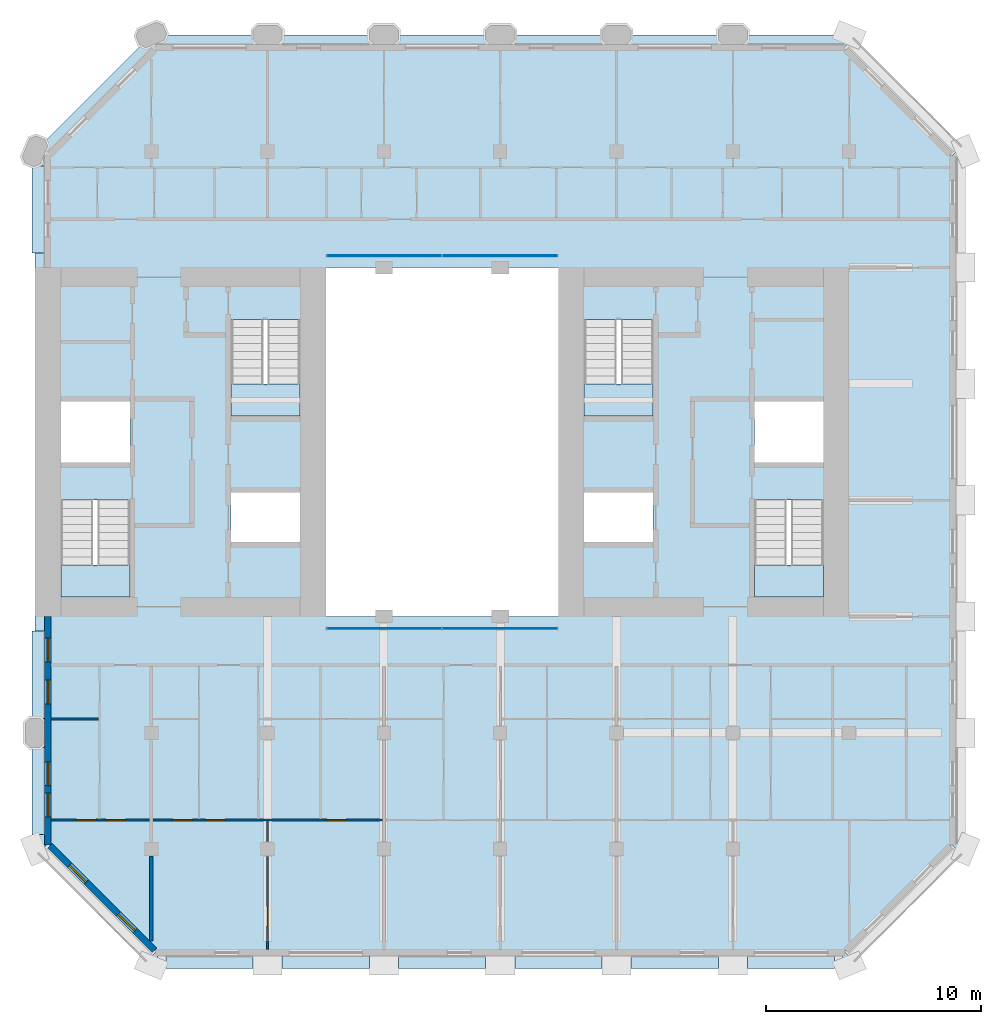
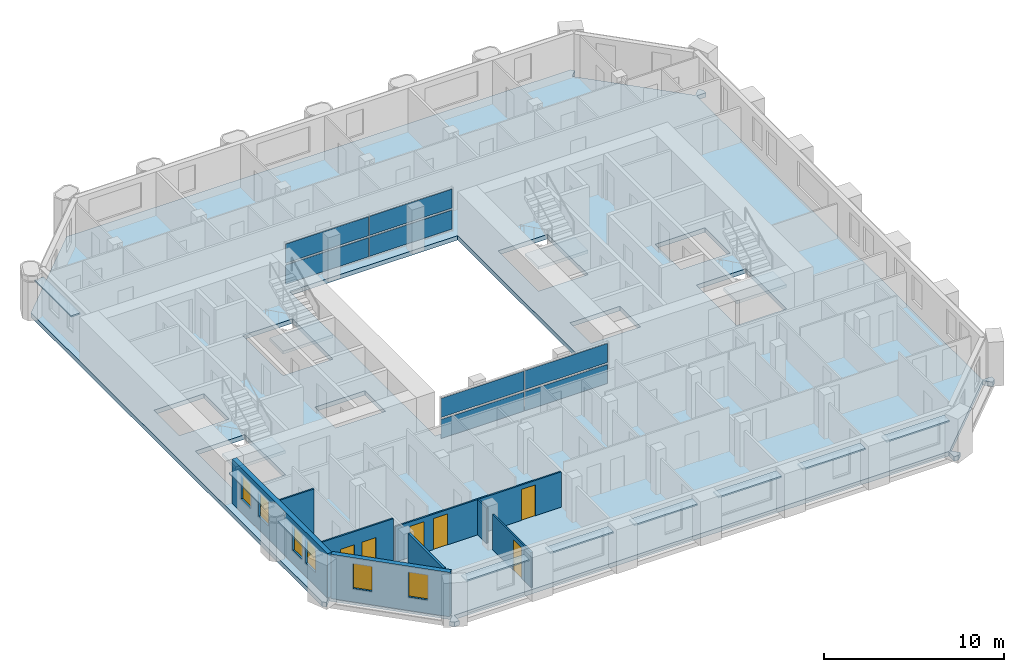
# One storey, part 7 of 16: 17 plates, 8 walls, 6 doors, 6 windows, 5 slabs, 12 openings, 6 elements without a shape of their own.
"""IFC4 building model written with IfcOpenShell, lengths in metres."""

import ifcopenshell
import ifcopenshell.guid

model = None  # the IFC model being written
_history = None  # IfcOwnerHistory: only IFC2X3 demands one
_inside = {}  # id of a spatial element -> (the spatial element, [elements in it])
_under = {}  # id of a project, library or spatial element -> (it, [spatial elements below it])
_declared = {}  # id of a project -> (the project, [libraries it declares])
_typed = {}  # id of a type object -> (the type object, [elements of that type])
_made_of = {}  # id of a material, layer set ... -> (it, [elements and type objects made of it])


def new_model(schema):
    """Start an empty IFC model of exactly this schema.

    Asked for "IFC4X3", IfcOpenShell would pick the latest addendum, in which some entities
    have other attributes; the version numbers below select the first issue.
    IFC2X3 requires an IfcOwnerHistory on every rooted entity: one is made here for all.
    """
    global model, _history
    if schema == "IFC4X3":
        model = ifcopenshell.file(schema_version=(4, 3, 0, 0))
    else:
        model = ifcopenshell.file(schema=schema)
    _inside.clear()
    _under.clear()
    _declared.clear()
    _typed.clear()
    _made_of.clear()
    _history = None
    if model.schema == "IFC2X3":
        org = make("IfcOrganization", Name="unknown")
        user = make(
            "IfcPersonAndOrganization",
            ThePerson=make("IfcPerson", FamilyName="unknown"),
            TheOrganization=org,
        )
        app = make(
            "IfcApplication",
            ApplicationDeveloper=org,
            Version="unknown",
            ApplicationFullName="unknown",
            ApplicationIdentifier="unknown",
        )
        _history = make(
            "IfcOwnerHistory",
            OwningUser=user,
            OwningApplication=app,
            ChangeAction="ADDED",
            CreationDate=0,
        )
    return model


def make(cls, **values):
    """One entity of the class cls with the attributes given. An attribute that is None is left unset."""
    return model.create_entity(
        cls, **{name: value for name, value in values.items() if value is not None}
    )


def rooted(cls, **values):
    """An entity with a GlobalId (a new one), such as an element, a storey or a relation."""
    return make(cls, GlobalId=ifcopenshell.guid.new(), OwnerHistory=_history, **values)


def si_unit(unit_type, name, prefix=None):
    """IfcSIUnit, for example si_unit("LENGTHUNIT", "METRE", prefix="MILLI")."""
    return make("IfcSIUnit", UnitType=unit_type, Prefix=prefix, Name=name)


def assignment(units):
    """IfcUnitAssignment: the units of a project."""
    return None if units is None else make("IfcUnitAssignment", Units=units)


def point(xyz):
    """IfcCartesianPoint."""
    return None if xyz is None else make("IfcCartesianPoint", Coordinates=xyz)


def direction(xyz):
    """IfcDirection."""
    return None if xyz is None else make("IfcDirection", DirectionRatios=xyz)


def frame(location, z_axis=None, x_axis=None):
    """IfcAxis2Placement3D, a coordinate frame: its origin and axes. An axis left out is left unset."""
    return make(
        "IfcAxis2Placement3D",
        Location=point(location),
        Axis=direction(z_axis),
        RefDirection=direction(x_axis),
    )


def frame_2d(location, x_axis=None):
    """IfcAxis2Placement2D, a coordinate frame in the plane: its origin and x axis."""
    return make(
        "IfcAxis2Placement2D", Location=point(location), RefDirection=direction(x_axis)
    )


def origin():
    """The frame at (0, 0, 0) with its axes left unset."""
    return frame((0.0, 0.0, 0.0))


def origin_2d():
    """The frame at (0, 0) in the plane with its x axis left unset."""
    return frame_2d((0.0, 0.0))


def place(relative_to, where):
    """IfcLocalPlacement: puts the frame where relative to a parent placement (None: the world)."""
    return make(
        "IfcLocalPlacement", PlacementRelTo=relative_to, RelativePlacement=where
    )


def context(
    kind, dimensions, precision=None, world=None, true_north=None, identifier=None
):
    """IfcGeometricRepresentationContext, for example the 3D "Model" context."""
    return make(
        "IfcGeometricRepresentationContext",
        ContextIdentifier=identifier,
        ContextType=kind,
        CoordinateSpaceDimension=dimensions,
        Precision=precision,
        WorldCoordinateSystem=world,
        TrueNorth=true_north,
    )


def subcontext(parent, identifier, kind, view, scale=None):
    """IfcGeometricRepresentationSubContext, for example "Body" below "Model"."""
    return make(
        "IfcGeometricRepresentationSubContext",
        ContextIdentifier=identifier,
        ContextType=kind,
        ParentContext=parent,
        TargetScale=scale,
        TargetView=view,
    )


def project(units=None, contexts=None):
    """IfcProject with its units and contexts."""
    return rooted(
        "IfcProject",
        Name="project",
        RepresentationContexts=contexts,
        UnitsInContext=assignment(units),
    )


def spatial(cls, under=None, at=None, **own):
    """A site, building, storey or space (cls), placed at a placement, below another one or the project."""
    s = rooted(cls, ObjectPlacement=at, **own)
    if under is not None:
        _under.setdefault(under.id(), (under, []))[1].append(s)
    return s


def polyline(points):
    """IfcPolyline through the points."""
    return make("IfcPolyline", Points=[point(p) for p in points])


def profile(cls, at=None, kind="AREA", **sizes):
    """A parametric profile (cls). Its sizes go by their IFC names, for example OverallWidth=200.0."""
    return make(cls, ProfileType=kind, Position=at, **sizes)


def rectangle(**sizes):
    """IfcRectangleProfileDef."""
    return profile("IfcRectangleProfileDef", **sizes)


def outline(outer, holes=None, kind="AREA"):
    """IfcArbitraryClosedProfileDef: a profile drawn as a closed curve; with holes, ...WithVoids."""
    if holes is None:
        return make("IfcArbitraryClosedProfileDef", ProfileType=kind, OuterCurve=outer)
    return make(
        "IfcArbitraryProfileDefWithVoids",
        ProfileType=kind,
        OuterCurve=outer,
        InnerCurves=holes,
    )


def extrude(swept, where, along, depth):
    """IfcExtrudedAreaSolid: the profile swept, set in the frame where, extruded along a direction by depth."""
    return make(
        "IfcExtrudedAreaSolid",
        SweptArea=swept,
        Position=where,
        ExtrudedDirection=direction(along),
        Depth=depth,
    )


def shape(context_of_items, identifier, shape_type, items):
    """IfcShapeRepresentation: the items that make up one representation, for example the "Body"."""
    return make(
        "IfcShapeRepresentation",
        ContextOfItems=context_of_items,
        RepresentationIdentifier=identifier,
        RepresentationType=shape_type,
        Items=items,
    )


def material(Name=None, Category=None):
    """IfcMaterial."""
    return make("IfcMaterial", Name=Name, Category=Category)


def layer(
    of_material, thickness, ventilated=None, Name=None, Category=None, Priority=None
):
    """IfcMaterialLayer: one layer of a wall or slab, of a material (None: an air gap)."""
    return make(
        "IfcMaterialLayer",
        Material=of_material,
        LayerThickness=thickness,
        IsVentilated=ventilated,
        Name=Name,
        Category=Category,
        Priority=Priority,
    )


def layer_set(layers, Name=None):
    """IfcMaterialLayerSet."""
    return make("IfcMaterialLayerSet", MaterialLayers=layers, LayerSetName=Name)


def made_of(thing, what):
    """Note that an element or type object is made of a material, layer set ...; save() writes the relation."""
    if what is not None:
        _made_of.setdefault(what.id(), (what, []))[1].append(thing)
    return thing


def type_object(cls, material=None, **own):
    """A type object (cls), such as IfcWallType, which elements share."""
    return made_of(rooted(cls, **own), material)


def element(
    cls,
    number,
    at=None,
    inside=None,
    cuts=None,
    type_object=None,
    material=None,
    context=None,
    identifier="Body",
    shape_type=None,
    held_by="IfcProductDefinitionShape",
    body=None,
    shapes=None,
    **own,
):
    """One element of the class cls, such as IfcWall. Its Tag is "e" and its number.

    at: its placement. inside: the storey or other place that contains it. cuts: it is an
    opening in that element (IfcRelVoidsElement). A single representation is given by context,
    identifier, shape_type and body (its items); several are given by shapes. held_by: the class
    of the entity that holds the representations. save() writes the other relations.
    """
    e = rooted(cls, Tag="e%d" % number, ObjectPlacement=at, **own)
    if body is not None:
        shapes = [shape(context, identifier, shape_type, body)]
    if shapes is not None:
        e.Representation = make(held_by, Representations=shapes)
    if inside is not None:
        _inside.setdefault(inside.id(), (inside, []))[1].append(e)
    if cuts is not None:
        rooted(
            "IfcRelVoidsElement", RelatingBuildingElement=cuts, RelatedOpeningElement=e
        )
    if type_object is not None:
        _typed.setdefault(type_object.id(), (type_object, []))[1].append(e)
    return made_of(e, material)


def fill(opening, filler):
    """IfcRelFillsElement: the door or window that sits in an opening."""
    return rooted(
        "IfcRelFillsElement",
        RelatingOpeningElement=opening,
        RelatedBuildingElement=filler,
    )


def aggregate(whole, parts):
    """IfcRelAggregates: a whole, such as a stair, and the parts it consists of."""
    return rooted("IfcRelAggregates", RelatingObject=whole, RelatedObjects=parts)


def save(model, path):
    """Write the relations noted so far, then the file.

    IfcRelAggregates (storeys below a building ...), IfcRelContainedInSpatialStructure (elements
    in a storey), IfcRelDefinesByType, IfcRelAssociatesMaterial and IfcRelDeclares: one each for
    every whole, place, type object, material and project.
    """
    for whole, parts in _under.values():
        aggregate(whole, parts)
    for where, things in _inside.values():
        rooted(
            "IfcRelContainedInSpatialStructure",
            RelatedElements=things,
            RelatingStructure=where,
        )
    for kind, things in _typed.values():
        rooted("IfcRelDefinesByType", RelatedObjects=things, RelatingType=kind)
    for what, things in _made_of.values():
        rooted("IfcRelAssociatesMaterial", RelatedObjects=things, RelatingMaterial=what)
    for by, libraries in _declared.values():
        rooted("IfcRelDeclares", RelatingContext=by, RelatedDefinitions=libraries)
    model.write(path)


model = new_model("IFC4")

# Units and contexts
model_context = context("Model", 3, precision=1e-05, world=origin(), true_north=direction((0.0, 1.0)))
body_context = subcontext(model_context, "Body", "Model", "MODEL_VIEW")
ifc_project = project(units=[si_unit("LENGTHUNIT", "METRE"), si_unit("AREAUNIT", "SQUARE_METRE"), si_unit("VOLUMEUNIT", "CUBIC_METRE"), si_unit("PLANEANGLEUNIT", "RADIAN"), si_unit("MASSUNIT", "GRAM", prefix="KILO")], contexts=[model_context])

# Site, building, storey
site_placement = place(None, origin())
site = spatial("IfcSite", under=ifc_project, at=site_placement, CompositionType="ELEMENT")
building_placement = place(site_placement, origin())
building = spatial("IfcBuilding", under=site, at=building_placement, Name="Tabaq Tower and Sports Hall", CompositionType="ELEMENT")
storey_placement = place(building_placement, frame((0.0, 0.0, 268.60009765625)))
storey = spatial("IfcBuildingStorey", under=building, at=storey_placement, Name="L65", CompositionType="ELEMENT", Elevation=268.60009765625)

# Curtain wall, plates
ifc_material_1 = material(Name="Aluminium alloy 6063-T6 framed glazing", Category="aluminium")
curtain_wall_type = type_object("IfcCurtainWallType", Name="CW1 curtain wall", PredefinedType="USERDEFINED", material=ifc_material_1)
curtain_wall_1_placement = place(storey_placement, origin())
curtain_wall_1 = element("IfcCurtainWall", 1, at=curtain_wall_1_placement, inside=storey, type_object=curtain_wall_type, Name="Atrium glazing L65 S", ObjectType="ATRIUM ENCLOSURE", PredefinedType="USERDEFINED")
ifc_material_2 = material(Name="Clear low-emissivity glass 28 mm", Category="glass")
ifc_layer_1 = layer(ifc_material_2, 0.028076171875)
ifc_layer_set_1 = layer_set([ifc_layer_1], Name="CW1 glass panel 28")
plate_type_1 = type_object("IfcPlateType", Name="CW1 glass panel 28", PredefinedType="CURTAIN_PANEL", material=ifc_layer_set_1)
plate_1_placement = place(storey_placement, frame((21.614990234375, 15.64990234375, 0.139892578125), z_axis=(0.0, 0.0, 1.0), x_axis=(1.0, 0.0, 0.0)))
plate_1 = element("IfcPlate", 2, at=plate_1_placement, type_object=plate_type_1, Name="CW1 panel 1.1", PredefinedType="CURTAIN_PANEL", context=body_context, shape_type="SweptSolid", body=[
    extrude(rectangle(XDim=5.31005859375, YDim=0.028076171875, at=origin_2d()), origin(), (0.0, 0.0, 1.0), 1.2900390625),
])
plate_2_placement = place(storey_placement, frame((21.614990234375, 15.64990234375, 1.56982421875), z_axis=(0.0, 0.0, 1.0), x_axis=(1.0, 0.0, 0.0)))
plate_2 = element("IfcPlate", 3, at=plate_2_placement, type_object=plate_type_1, Name="CW1 panel 1.2", PredefinedType="CURTAIN_PANEL", context=body_context, shape_type="SweptSolid", body=[
    extrude(rectangle(XDim=5.31005859375, YDim=0.028076171875, at=origin_2d()), origin(), (0.0, 0.0, 1.0), 1.2900390625),
])
plate_3_placement = place(storey_placement, frame((26.985107421875, 15.64990234375, 0.139892578125), z_axis=(0.0, 0.0, 1.0), x_axis=(1.0, 0.0, 0.0)))
plate_3 = element("IfcPlate", 4, at=plate_3_placement, type_object=plate_type_1, Name="CW1 panel 2.1", PredefinedType="CURTAIN_PANEL", context=body_context, shape_type="SweptSolid", body=[
    extrude(rectangle(XDim=5.31005859375, YDim=0.028076171875, at=origin_2d()), origin(), (0.0, 0.0, 1.0), 1.2900390625),
])
plate_4_placement = place(storey_placement, frame((26.985107421875, 15.64990234375, 1.56982421875), z_axis=(0.0, 0.0, 1.0), x_axis=(1.0, 0.0, 0.0)))
plate_4 = element("IfcPlate", 5, at=plate_4_placement, type_object=plate_type_1, Name="CW1 panel 2.2", PredefinedType="CURTAIN_PANEL", context=body_context, shape_type="SweptSolid", body=[
    extrude(rectangle(XDim=5.31005859375, YDim=0.028076171875, at=origin_2d()), origin(), (0.0, 0.0, 1.0), 1.2900390625),
])
aggregate(curtain_wall_1, [plate_1, plate_2, plate_3, plate_4])

curtain_wall_2_placement = place(storey_placement, origin())
curtain_wall_2 = element("IfcCurtainWall", 6, at=curtain_wall_2_placement, inside=storey, type_object=curtain_wall_type, Name="Atrium glazing L65 N", ObjectType="ATRIUM ENCLOSURE", PredefinedType="USERDEFINED")
plate_5_placement = place(storey_placement, frame((21.614990234375, 32.949951171875, 0.139892578125), z_axis=(0.0, 0.0, 1.0), x_axis=(1.0, 0.0, 0.0)))
plate_5 = element("IfcPlate", 7, at=plate_5_placement, type_object=plate_type_1, Name="CW1 panel 1.1", PredefinedType="CURTAIN_PANEL", context=body_context, shape_type="SweptSolid", body=[
    extrude(rectangle(XDim=5.31005859375, YDim=0.028076171875, at=origin_2d()), origin(), (0.0, 0.0, 1.0), 1.2900390625),
])
plate_6_placement = place(storey_placement, frame((21.614990234375, 32.949951171875, 1.56982421875), z_axis=(0.0, 0.0, 1.0), x_axis=(1.0, 0.0, 0.0)))
plate_6 = element("IfcPlate", 8, at=plate_6_placement, type_object=plate_type_1, Name="CW1 panel 1.2", PredefinedType="CURTAIN_PANEL", context=body_context, shape_type="SweptSolid", body=[
    extrude(rectangle(XDim=5.31005859375, YDim=0.028076171875, at=origin_2d()), origin(), (0.0, 0.0, 1.0), 1.2900390625),
])
plate_7_placement = place(storey_placement, frame((26.985107421875, 32.949951171875, 0.139892578125), z_axis=(0.0, 0.0, 1.0), x_axis=(1.0, 0.0, 0.0)))
plate_7 = element("IfcPlate", 9, at=plate_7_placement, type_object=plate_type_1, Name="CW1 panel 2.1", PredefinedType="CURTAIN_PANEL", context=body_context, shape_type="SweptSolid", body=[
    extrude(rectangle(XDim=5.31005859375, YDim=0.028076171875, at=origin_2d()), origin(), (0.0, 0.0, 1.0), 1.2900390625),
])
plate_8_placement = place(storey_placement, frame((26.985107421875, 32.949951171875, 1.56982421875), z_axis=(0.0, 0.0, 1.0), x_axis=(1.0, 0.0, 0.0)))
plate_8 = element("IfcPlate", 10, at=plate_8_placement, type_object=plate_type_1, Name="CW1 panel 2.2", PredefinedType="CURTAIN_PANEL", context=body_context, shape_type="SweptSolid", body=[
    extrude(rectangle(XDim=5.31005859375, YDim=0.028076171875, at=origin_2d()), origin(), (0.0, 0.0, 1.0), 1.2900390625),
])
aggregate(curtain_wall_2, [plate_5, plate_6, plate_7, plate_8])

# Stair, slab
ifc_material_3 = material(Name="Concrete C40/50", Category="concrete")
stair_type = type_object("IfcStairType", Name="Exit stair", PredefinedType="HALF_TURN_STAIR", material=ifc_material_3)
stair_1_placement = place(storey_placement, origin())
stair_1 = element("IfcStair", 11, at=stair_1_placement, inside=storey, type_object=stair_type, Name="L65 Exit stair ST1", PredefinedType="HALF_TURN_STAIR")
ifc_material_4 = material(Name="Concrete C40/50", Category="concrete")
ifc_layer_2 = layer(ifc_material_4, 0.199951171875)
ifc_layer_set_2 = layer_set([ifc_layer_2], Name="Exit stair landing")
slab_type_1 = type_object("IfcSlabType", Name="Exit stair landing", PredefinedType="LANDING", material=ifc_layer_set_2)
slab_1_placement = place(storey_placement, frame((0.0, 0.0, 1.449951171875)))
slab_1 = element("IfcSlab", 12, at=slab_1_placement, type_object=slab_type_1, Name="ST1 landing 1", PredefinedType="LANDING", context=body_context, shape_type="SweptSolid", body=[
    extrude(outline(polyline([(6.60009765625, 18.60009765625), (6.60009765625, 17.10009765625), (9.800048828125, 17.10009765625), (9.800048828125, 18.60009765625), (6.60009765625, 18.60009765625)])), origin(), (0.0, 0.0, 1.0), 0.199951171875),
])
aggregate(stair_1, [slab_1])

stair_2_placement = place(storey_placement, origin())
stair_2 = element("IfcStair", 13, at=stair_2_placement, inside=storey, type_object=stair_type, Name="L65 Exit stair ST2", PredefinedType="HALF_TURN_STAIR")
slab_2_placement = place(storey_placement, frame((0.0, 0.0, 1.449951171875)))
slab_2 = element("IfcSlab", 14, at=slab_2_placement, type_object=slab_type_1, Name="ST2 landing 1", PredefinedType="LANDING", context=body_context, shape_type="SweptSolid", body=[
    extrude(outline(polyline([(14.5, 27.0), (14.5, 25.5), (17.699951171875, 25.5), (17.699951171875, 27.0), (14.5, 27.0)])), origin(), (0.0, 0.0, 1.0), 0.199951171875),
])
aggregate(stair_2, [slab_2])

stair_3_placement = place(storey_placement, origin())
stair_3 = element("IfcStair", 15, at=stair_3_placement, inside=storey, type_object=stair_type, Name="L65 Exit stair ST3", PredefinedType="HALF_TURN_STAIR")
slab_3_placement = place(storey_placement, frame((0.0, 0.0, 1.449951171875)))
slab_3 = element("IfcSlab", 16, at=slab_3_placement, type_object=slab_type_1, Name="ST3 landing 1", PredefinedType="LANDING", context=body_context, shape_type="SweptSolid", body=[
    extrude(outline(polyline([(38.800048828125, 18.60009765625), (38.800048828125, 17.10009765625), (42.0, 17.10009765625), (42.0, 18.60009765625), (38.800048828125, 18.60009765625)])), origin(), (0.0, 0.0, 1.0), 0.199951171875),
])
aggregate(stair_3, [slab_3])

stair_4_placement = place(storey_placement, origin())
stair_4 = element("IfcStair", 17, at=stair_4_placement, inside=storey, type_object=stair_type, Name="L65 Exit stair ST4", PredefinedType="HALF_TURN_STAIR")
slab_4_placement = place(storey_placement, frame((0.0, 0.0, 1.449951171875)))
slab_4 = element("IfcSlab", 18, at=slab_4_placement, type_object=slab_type_1, Name="ST4 landing 1", PredefinedType="LANDING", context=body_context, shape_type="SweptSolid", body=[
    extrude(outline(polyline([(30.89990234375, 27.0), (30.89990234375, 25.5), (34.10009765625, 25.5), (34.10009765625, 27.0), (30.89990234375, 27.0)])), origin(), (0.0, 0.0, 1.0), 0.199951171875),
])
aggregate(stair_4, [slab_4])

# Slab
ifc_material_5 = material(Name="Concrete C40/50", Category="concrete")
ifc_layer_3 = layer(ifc_material_5, 0.300048828125)
ifc_layer_set_3 = layer_set([ifc_layer_3], Name="PT FLOOR SLAB 300 C40/50")
slab_type_2 = type_object("IfcSlabType", Name="PT FLOOR SLAB 300 C40/50", PredefinedType="FLOOR", material=ifc_layer_set_3)
slab_5_placement = place(storey_placement, frame((0.0, 0.0, -0.300048828125)))
element("IfcSlab", 19, at=slab_5_placement, inside=storey, type_object=slab_type_2, Name="Floor Slab L65", PredefinedType="FLOOR", context=body_context, shape_type="SweptSolid", body=[
    extrude(outline(polyline([(5.39990234375, 37.800048828125), (5.39990234375, 5.39990234375), (5.57666015625, 5.22314453125), (5.930419921875, 5.57666015625), (6.0009765625, 5.6474609375), (11.01318359375, 0.63525390625), (10.5888671875, 0.211181640625), (10.800048828125, 0.0), (11.0986328125, 0.0), (11.0986328125, 0.5), (11.0986328125, 0.60009765625), (42.9013671875, 0.60009765625), (42.9013671875, 0.5), (42.9013671875, 0.0), (43.199951171875, 0.0), (43.4111328125, 0.211181640625), (42.98681640625, 0.63525390625), (47.964599609375, 5.61328125), (48.035400390625, 5.54248046875), (48.388916015625, 5.18896484375), (48.60009765625, 5.39990234375), (48.60009765625, 5.698486328125), (48.10009765625, 5.698486328125), (48.0, 5.698486328125), (48.0, 37.50146484375), (48.10009765625, 37.50146484375), (48.60009765625, 37.50146484375), (48.60009765625, 37.800048828125), (48.388916015625, 38.010986328125), (48.035400390625, 37.657470703125), (47.964599609375, 37.5869140625), (42.952392578125, 42.598876953125), (43.023193359375, 42.669677734375), (43.376708984375, 43.023193359375), (43.199951171875, 43.199951171875), (10.800048828125, 43.199951171875), (5.39990234375, 37.800048828125)]), holes=[polyline([(6.60009765625, 21.599365234375), (9.800048828125, 21.599365234375), (9.800048828125, 17.10009765625), (6.60009765625, 17.10009765625), (6.60009765625, 21.599365234375)]), polyline([(38.800048828125, 21.599365234375), (42.0, 21.599365234375), (42.0, 17.10009765625), (38.800048828125, 17.10009765625), (38.800048828125, 21.599365234375)]), polyline([(14.5, 21.949951171875), (17.699951171875, 21.949951171875), (17.699951171875, 19.64990234375), (14.5, 19.64990234375), (14.5, 21.949951171875)]), polyline([(30.89990234375, 21.949951171875), (34.10009765625, 21.949951171875), (34.10009765625, 19.64990234375), (30.89990234375, 19.64990234375), (30.89990234375, 21.949951171875)]), polyline([(18.89990234375, 16.199951171875), (18.89990234375, 32.39990234375), (29.699951171875, 32.39990234375), (29.699951171875, 16.199951171875), (18.89990234375, 16.199951171875)]), polyline([(6.60009765625, 26.175048828125), (9.800048828125, 26.175048828125), (9.800048828125, 23.35009765625), (6.60009765625, 23.35009765625), (6.60009765625, 26.175048828125)]), polyline([(38.800048828125, 26.175048828125), (42.0, 26.175048828125), (42.0, 23.35009765625), (38.800048828125, 23.35009765625), (38.800048828125, 26.175048828125)]), polyline([(17.699951171875, 29.99951171875), (17.699951171875, 25.5), (14.5, 25.5), (14.5, 29.99951171875), (17.699951171875, 29.99951171875)]), polyline([(34.10009765625, 29.99951171875), (34.10009765625, 25.5), (30.89990234375, 25.5), (30.89990234375, 29.99951171875), (34.10009765625, 29.99951171875)])]), origin(), (0.0, 0.0, 1.0), 0.300048828125),
])

# Plates
ifc_material_6 = material(Name="White precast concrete C60/75 blade", Category="concrete")
ifc_layer_4 = layer(ifc_material_6, 0.10009765625)
ifc_layer_set_4 = layer_set([ifc_layer_4], Name="White precast concrete C60/75 sunshade 100")
plate_type_2 = type_object("IfcPlateType", Name="White precast concrete C60/75 sunshade 100", PredefinedType="USERDEFINED", material=ifc_layer_set_4)
for number, where, z_axis, x_axis, name in (
    (20, (13.5, 0.14990234375, 2.599853515625), (0.0, 0.0, 1.0), (1.0, 0.0, 0.0), "Sunshade L65 S"),
    (21, (18.89990234375, 0.14990234375, 2.599853515625), (0.0, 0.0, 1.0), (1.0, 0.0, 0.0), "Sunshade L65 S"),
    (22, (24.300048828125, 0.14990234375, 2.599853515625), (0.0, 0.0, 1.0), (1.0, 0.0, 0.0), "Sunshade L65 S"),
    (23, (29.699951171875, 0.14990234375, 2.599853515625), (0.0, 0.0, 1.0), (1.0, 0.0, 0.0), "Sunshade L65 S"),
    (24, (35.10009765625, 0.14990234375, 2.599853515625), (0.0, 0.0, 1.0), (1.0, 0.0, 0.0), "Sunshade L65 S"),
    (25, (40.5, 0.14990234375, 2.599853515625), (0.0, 0.0, 1.0), (1.0, 0.0, 0.0), "Sunshade L65 S"),
    (26, (5.550048828125, 35.10009765625, 2.599853515625), (0.0, 0.0, 1.0), (0.0, -1.0, 0.0), "Sunshade L65 W"),
    (27, (5.550048828125, 13.5, 2.599853515625), (0.0, 0.0, 1.0), (0.0, -1.0, 0.0), "Sunshade L65 W"),
    (28, (5.550048828125, 8.10009765625, 2.599853515625), (0.0, 0.0, 1.0), (0.0, -1.0, 0.0), "Sunshade L65 W"),
):
    element("IfcPlate", number, at=place(storey_placement, frame(where, z_axis=z_axis, x_axis=x_axis)), inside=storey, type_object=plate_type_2, Name=name, ObjectType="SUNSHADE", PredefinedType="USERDEFINED", context=body_context, shape_type="SweptSolid", body=[
        extrude(rectangle(XDim=4.050048828125, YDim=0.60009765625, at=origin_2d()), origin(), (0.0, 0.0, 1.0), 0.10009765625),
    ])

# Wall, openings, doors
ifc_material_7 = material(Name="Gypsum board on steel studs", Category="steel")
ifc_layer_5 = layer(ifc_material_7, 0.10009765625)
ifc_layer_set_5 = layer_set([ifc_layer_5], Name="Partition 100 Gypsum board")
wall_type_1 = type_object("IfcWallType", Name="Partition 100 Gypsum board", PredefinedType="PARTITIONING", material=ifc_layer_set_5)
wall_1_placement = place(storey_placement, frame((10.72509765625, 6.75, 0.0), z_axis=(0.0, 0.0, 1.0), x_axis=(-1.0, 0.0, 0.0)))
wall_1 = element("IfcWall", 29, at=wall_1_placement, inside=storey, type_object=wall_type_1, Name="Partition wall L65", PredefinedType="PARTITIONING", context=body_context, shape_type="SweptSolid", body=[
    extrude(rectangle(XDim=4.57421875, YDim=0.10009765625, at=frame_2d((2.287109375, 0.0))), origin(), (0.0, 0.0, 1.0), 3.0),
])
opening_1_placement = place(wall_1_placement, frame((2.4951171875, 0.0, 0.0)))
opening_1 = element("IfcOpeningElement", 30, at=opening_1_placement, cuts=wall_1, Name="Opening L65-036", PredefinedType="OPENING", context=body_context, shape_type="SweptSolid", body=[
    extrude(rectangle(XDim=0.89990234375, YDim=2.10009765625, at=frame_2d((0.449951171875, 1.050048828125))), frame((0.0, 0.050048828125, 0.0), z_axis=(0.0, -1.0, 0.0), x_axis=(1.0, 0.0, 0.0)), (0.0, 0.0, 1.0), 0.10009765625),
])
opening_2_placement = place(wall_1_placement, frame((1.125, 0.0, 0.0)))
opening_2 = element("IfcOpeningElement", 31, at=opening_2_placement, cuts=wall_1, Name="Opening L65-037", PredefinedType="OPENING", context=body_context, shape_type="SweptSolid", body=[
    extrude(rectangle(XDim=0.89990234375, YDim=2.10009765625, at=frame_2d((0.449951171875, 1.050048828125))), frame((0.0, 0.050048828125, 0.0), z_axis=(0.0, -1.0, 0.0), x_axis=(1.0, 0.0, 0.0)), (0.0, 0.0, 1.0), 0.10009765625),
])
ifc_material_8 = material(Name="Timber leaf in steel frame", Category="steel")
door_type_1 = type_object("IfcDoorType", Name="Internal door 900 left hand", OperationType="SINGLE_SWING_LEFT", PredefinedType="DOOR", material=ifc_material_8)
door_1_placement = place(opening_1_placement, origin())
door_1 = element("IfcDoor", 32, at=door_1_placement, inside=storey, type_object=door_type_1, Name="Internal door L65-036", OperationType="SINGLE_SWING_LEFT", OverallHeight=2.10009765625, OverallWidth=0.89990234375, PredefinedType="DOOR", context=body_context, shape_type="SweptSolid", body=[
    extrude(rectangle(XDim=0.89990234375, YDim=2.10009765625, at=frame_2d((0.449951171875, 1.050048828125))), frame((0.0, 0.02490234375, 0.0), z_axis=(0.0, -1.0, 0.0), x_axis=(1.0, 0.0, 0.0)), (0.0, 0.0, 1.0), 0.050048828125),
])
fill(opening_1, door_1)
ifc_material_9 = material(Name="Timber leaf in steel frame", Category="steel")
door_type_2 = type_object("IfcDoorType", Name="Internal door 900 right hand", OperationType="SINGLE_SWING_RIGHT", PredefinedType="DOOR", material=ifc_material_9)
door_2_placement = place(opening_2_placement, origin())
door_2 = element("IfcDoor", 33, at=door_2_placement, inside=storey, type_object=door_type_2, Name="Internal door L65-037", OperationType="SINGLE_SWING_RIGHT", OverallHeight=2.10009765625, OverallWidth=0.89990234375, PredefinedType="DOOR", context=body_context, shape_type="SweptSolid", body=[
    extrude(rectangle(XDim=0.89990234375, YDim=2.10009765625, at=frame_2d((0.449951171875, 1.050048828125))), frame((0.0, 0.02490234375, 0.0), z_axis=(0.0, -1.0, 0.0), x_axis=(1.0, 0.0, 0.0)), (0.0, 0.0, 1.0), 0.050048828125),
])
fill(opening_2, door_2)

# Wall
wall_2_placement = place(storey_placement, frame((8.35009765625, 11.449951171875, 0.0), z_axis=(0.0, 0.0, 1.0), x_axis=(-1.0, 0.0, 0.0)))
element("IfcWall", 34, at=wall_2_placement, inside=storey, type_object=wall_type_1, Name="Partition wall L65", PredefinedType="PARTITIONING", context=body_context, shape_type="SweptSolid", body=[
    extrude(rectangle(XDim=2.19921875, YDim=0.10009765625, at=frame_2d((1.099609375, 0.0))), origin(), (0.0, 0.0, 1.0), 3.0),
])

# Wall, opening, door
wall_3_placement = place(storey_placement, frame((16.199951171875, 0.7509765625, 0.0), z_axis=(0.0, 0.0, 1.0), x_axis=(0.0, 1.0, 0.0)))
wall_3 = element("IfcWall", 35, at=wall_3_placement, inside=storey, type_object=wall_type_1, Name="Partition wall L65", PredefinedType="PARTITIONING", context=body_context, shape_type="SweptSolid", body=[
    extrude(rectangle(XDim=4.303955078125, YDim=0.10009765625, at=frame_2d((2.15185546875, 0.0))), origin(), (0.0, 0.0, 1.0), 2.39990234375),
])
opening_3_placement = place(wall_3_placement, frame((1.080078125, 0.0, 0.0)))
opening_3 = element("IfcOpeningElement", 36, at=opening_3_placement, cuts=wall_3, Name="Opening L65-039", PredefinedType="OPENING", context=body_context, shape_type="SweptSolid", body=[
    extrude(rectangle(XDim=0.89990234375, YDim=2.10009765625, at=frame_2d((0.449951171875, 1.050048828125))), frame((0.0, 0.050048828125, 0.0), z_axis=(0.0, -1.0, 0.0), x_axis=(1.0, 0.0, 0.0)), (0.0, 0.0, 1.0), 0.10009765625),
])
door_3_placement = place(opening_3_placement, origin())
door_3 = element("IfcDoor", 37, at=door_3_placement, inside=storey, type_object=door_type_2, Name="Internal door L65-039", OperationType="SINGLE_SWING_RIGHT", OverallHeight=2.10009765625, OverallWidth=0.89990234375, PredefinedType="DOOR", context=body_context, shape_type="SweptSolid", body=[
    extrude(rectangle(XDim=0.89990234375, YDim=2.10009765625, at=frame_2d((0.449951171875, 1.050048828125))), frame((0.0, 0.02490234375, 0.0), z_axis=(0.0, -1.0, 0.0), x_axis=(1.0, 0.0, 0.0)), (0.0, 0.0, 1.0), 0.050048828125),
])
fill(opening_3, door_3)

# Wall
wall_4_placement = place(storey_placement, frame((16.199951171875, 5.7451171875, 0.0), z_axis=(0.0, 0.0, 1.0), x_axis=(0.0, 1.0, 0.0)))
element("IfcWall", 38, at=wall_4_placement, inside=storey, type_object=wall_type_1, Name="Partition wall L65", PredefinedType="PARTITIONING", context=body_context, shape_type="SweptSolid", body=[
    extrude(rectangle(XDim=0.954833984375, YDim=0.10009765625, at=frame_2d((0.4775390625, 0.0))), origin(), (0.0, 0.0, 1.0), 2.39990234375),
])

# Wall, openings, doors
wall_5_placement = place(storey_placement, frame((21.52490234375, 6.75, 0.0), z_axis=(0.0, 0.0, 1.0), x_axis=(-1.0, 0.0, 0.0)))
wall_5 = element("IfcWall", 39, at=wall_5_placement, inside=storey, type_object=wall_type_1, Name="Partition wall L65", PredefinedType="PARTITIONING", context=body_context, shape_type="SweptSolid", body=[
    extrude(rectangle(XDim=10.64990234375, YDim=0.10009765625, at=frame_2d((5.324951171875, 0.0))), origin(), (0.0, 0.0, 1.0), 2.39990234375),
])
opening_4_placement = place(wall_5_placement, frame((8.81298828125, 0.0, 0.0)))
opening_4 = element("IfcOpeningElement", 40, at=opening_4_placement, cuts=wall_5, Name="Opening L65-040", PredefinedType="OPENING", context=body_context, shape_type="SweptSolid", body=[
    extrude(rectangle(XDim=0.89990234375, YDim=2.10009765625, at=frame_2d((0.449951171875, 1.050048828125))), frame((0.0, 0.050048828125, 0.0), z_axis=(0.0, -1.0, 0.0), x_axis=(1.0, 0.0, 0.0)), (0.0, 0.0, 1.0), 0.10009765625),
])
opening_5_placement = place(wall_5_placement, frame((1.675048828125, 0.0, 0.0)))
opening_5 = element("IfcOpeningElement", 41, at=opening_5_placement, cuts=wall_5, Name="Opening L65-041", PredefinedType="OPENING", context=body_context, shape_type="SweptSolid", body=[
    extrude(rectangle(XDim=0.89990234375, YDim=2.10009765625, at=frame_2d((0.449951171875, 1.050048828125))), frame((0.0, 0.050048828125, 0.0), z_axis=(0.0, -1.0, 0.0), x_axis=(1.0, 0.0, 0.0)), (0.0, 0.0, 1.0), 0.10009765625),
])
opening_6_placement = place(wall_5_placement, frame((7.31298828125, 0.0, 0.0)))
opening_6 = element("IfcOpeningElement", 42, at=opening_6_placement, cuts=wall_5, Name="Opening L65-055", PredefinedType="OPENING", context=body_context, shape_type="SweptSolid", body=[
    extrude(rectangle(XDim=0.89990234375, YDim=2.10009765625, at=frame_2d((0.449951171875, 1.050048828125))), frame((0.0, 0.050048828125, 0.0), z_axis=(0.0, -1.0, 0.0), x_axis=(1.0, 0.0, 0.0)), (0.0, 0.0, 1.0), 0.10009765625),
])
door_4_placement = place(opening_4_placement, origin())
door_4 = element("IfcDoor", 43, at=door_4_placement, inside=storey, type_object=door_type_1, Name="Internal door L65-040", OperationType="SINGLE_SWING_LEFT", OverallHeight=2.10009765625, OverallWidth=0.89990234375, PredefinedType="DOOR", context=body_context, shape_type="SweptSolid", body=[
    extrude(rectangle(XDim=0.89990234375, YDim=2.10009765625, at=frame_2d((0.449951171875, 1.050048828125))), frame((0.0, 0.02490234375, 0.0), z_axis=(0.0, -1.0, 0.0), x_axis=(1.0, 0.0, 0.0)), (0.0, 0.0, 1.0), 0.050048828125),
])
fill(opening_4, door_4)
door_5_placement = place(opening_5_placement, origin())
door_5 = element("IfcDoor", 44, at=door_5_placement, inside=storey, type_object=door_type_2, Name="Internal door L65-041", OperationType="SINGLE_SWING_RIGHT", OverallHeight=2.10009765625, OverallWidth=0.89990234375, PredefinedType="DOOR", context=body_context, shape_type="SweptSolid", body=[
    extrude(rectangle(XDim=0.89990234375, YDim=2.10009765625, at=frame_2d((0.449951171875, 1.050048828125))), frame((0.0, 0.02490234375, 0.0), z_axis=(0.0, -1.0, 0.0), x_axis=(1.0, 0.0, 0.0)), (0.0, 0.0, 1.0), 0.050048828125),
])
fill(opening_5, door_5)
door_6_placement = place(opening_6_placement, origin())
door_6 = element("IfcDoor", 45, at=door_6_placement, inside=storey, type_object=door_type_2, Name="Internal door L65-055", OperationType="SINGLE_SWING_RIGHT", OverallHeight=2.10009765625, OverallWidth=0.89990234375, PredefinedType="DOOR", context=body_context, shape_type="SweptSolid", body=[
    extrude(rectangle(XDim=0.89990234375, YDim=2.10009765625, at=frame_2d((0.449951171875, 1.050048828125))), frame((0.0, 0.02490234375, 0.0), z_axis=(0.0, -1.0, 0.0), x_axis=(1.0, 0.0, 0.0)), (0.0, 0.0, 1.0), 0.050048828125),
])
fill(opening_6, door_6)

# Wall
ifc_material_10 = material(Name="Blockwork", Category="masonry")
ifc_layer_6 = layer(ifc_material_10, 0.14990234375)
ifc_layer_set_6 = layer_set([ifc_layer_6], Name="Separating wall 150 Blockwork")
wall_type_2 = type_object("IfcWallType", Name="Separating wall 150 Blockwork", PredefinedType="PARTITIONING", material=ifc_layer_set_6)
wall_6_placement = place(storey_placement, frame((10.800048828125, 1.13720703125, 0.0), z_axis=(0.0, 0.0, 1.0), x_axis=(0.0, 1.0, 0.0)))
element("IfcWall", 46, at=wall_6_placement, inside=storey, type_object=wall_type_2, Name="Separating wall L65", PredefinedType="PARTITIONING", context=body_context, shape_type="SweptSolid", body=[
    extrude(rectangle(XDim=3.917724609375, YDim=0.14990234375, at=frame_2d((1.958984375, 0.0))), origin(), (0.0, 0.0, 1.0), 3.0),
])

# Wall, openings, windows
ifc_material_11 = material(Name="White precast concrete C60/75", Category="concrete")
ifc_layer_7 = layer(ifc_material_11, 0.300048828125)
ifc_layer_set_7 = layer_set([ifc_layer_7], Name="White precast concrete C60/75 external wall 300")
wall_type_3 = type_object("IfcWallType", Name="White precast concrete C60/75 external wall 300", PredefinedType="SOLIDWALL", material=ifc_layer_set_7)
wall_7_placement = place(storey_placement, frame((6.0, 16.199951171875, 0.0), z_axis=(0.0, 0.0, 1.0), x_axis=(0.0, -1.0, 0.0)))
wall_7 = element("IfcWall", 47, at=wall_7_placement, inside=storey, type_object=wall_type_3, Name="External Wall L65 W", PredefinedType="SOLIDWALL", context=body_context, shape_type="SweptSolid", body=[
    extrude(rectangle(XDim=10.613525390625, YDim=0.300048828125, at=frame_2d((5.306640625, 0.0))), origin(), (0.0, 0.0, 1.0), 3.0),
])
opening_7_placement = place(wall_7_placement, frame((1.0, 0.0, 0.89990234375)))
opening_7 = element("IfcOpeningElement", 48, at=opening_7_placement, cuts=wall_7, Name="Opening W1B", PredefinedType="OPENING", context=body_context, shape_type="SweptSolid", body=[
    extrude(rectangle(XDim=1.10009765625, YDim=1.699951171875, at=frame_2d((0.550048828125, 0.85009765625))), frame((0.0, 0.16015625, 0.0), z_axis=(0.0, -1.0, 0.0), x_axis=(1.0, 0.0, 0.0)), (0.0, 0.0, 1.0), 0.320068359375),
])
opening_8_placement = place(wall_7_placement, frame((2.949951171875, 0.0, 0.89990234375)))
opening_8 = element("IfcOpeningElement", 49, at=opening_8_placement, cuts=wall_7, Name="Opening W1B", PredefinedType="OPENING", context=body_context, shape_type="SweptSolid", body=[
    extrude(rectangle(XDim=1.10009765625, YDim=1.699951171875, at=frame_2d((0.550048828125, 0.85009765625))), frame((0.0, 0.16015625, 0.0), z_axis=(0.0, -1.0, 0.0), x_axis=(1.0, 0.0, 0.0)), (0.0, 0.0, 1.0), 0.320068359375),
])
opening_9_placement = place(wall_7_placement, frame((6.75, 0.0, 0.89990234375)))
opening_9 = element("IfcOpeningElement", 50, at=opening_9_placement, cuts=wall_7, Name="Opening W1B", PredefinedType="OPENING", context=body_context, shape_type="SweptSolid", body=[
    extrude(rectangle(XDim=1.10009765625, YDim=1.699951171875, at=frame_2d((0.550048828125, 0.85009765625))), frame((0.0, 0.16015625, 0.0), z_axis=(0.0, -1.0, 0.0), x_axis=(1.0, 0.0, 0.0)), (0.0, 0.0, 1.0), 0.320068359375),
])
opening_10_placement = place(wall_7_placement, frame((8.199951171875, 0.0, 0.89990234375)))
opening_10 = element("IfcOpeningElement", 51, at=opening_10_placement, cuts=wall_7, Name="Opening W1B", PredefinedType="OPENING", context=body_context, shape_type="SweptSolid", body=[
    extrude(rectangle(XDim=1.10009765625, YDim=1.699951171875, at=frame_2d((0.550048828125, 0.85009765625))), frame((0.0, 0.16015625, 0.0), z_axis=(0.0, -1.0, 0.0), x_axis=(1.0, 0.0, 0.0)), (0.0, 0.0, 1.0), 0.320068359375),
])
ifc_material_12 = material(Name="Aluminium framed clear glazing", Category="aluminium")
window_type = type_object("IfcWindowType", Name="Window W1B", PartitioningType="SINGLE_PANEL", PredefinedType="WINDOW", material=ifc_material_12)
window_1_placement = place(opening_7_placement, origin())
window_1 = element("IfcWindow", 52, at=window_1_placement, inside=storey, type_object=window_type, Name="Window W1B L65", OverallHeight=1.699951171875, OverallWidth=1.10009765625, PartitioningType="SINGLE_PANEL", PredefinedType="WINDOW", context=body_context, shape_type="SweptSolid", body=[
    extrude(rectangle(XDim=1.10009765625, YDim=1.699951171875, at=frame_2d((0.550048828125, 0.85009765625))), frame((0.0, 0.030029296875, 0.0), z_axis=(0.0, -1.0, 0.0), x_axis=(1.0, 0.0, 0.0)), (0.0, 0.0, 1.0), 0.06005859375),
])
fill(opening_7, window_1)
window_2_placement = place(opening_8_placement, origin())
window_2 = element("IfcWindow", 53, at=window_2_placement, inside=storey, type_object=window_type, Name="Window W1B L65", OverallHeight=1.699951171875, OverallWidth=1.10009765625, PartitioningType="SINGLE_PANEL", PredefinedType="WINDOW", context=body_context, shape_type="SweptSolid", body=[
    extrude(rectangle(XDim=1.10009765625, YDim=1.699951171875, at=frame_2d((0.550048828125, 0.85009765625))), frame((0.0, 0.030029296875, 0.0), z_axis=(0.0, -1.0, 0.0), x_axis=(1.0, 0.0, 0.0)), (0.0, 0.0, 1.0), 0.06005859375),
])
fill(opening_8, window_2)
window_3_placement = place(opening_9_placement, origin())
window_3 = element("IfcWindow", 54, at=window_3_placement, inside=storey, type_object=window_type, Name="Window W1B L65", OverallHeight=1.699951171875, OverallWidth=1.10009765625, PartitioningType="SINGLE_PANEL", PredefinedType="WINDOW", context=body_context, shape_type="SweptSolid", body=[
    extrude(rectangle(XDim=1.10009765625, YDim=1.699951171875, at=frame_2d((0.550048828125, 0.85009765625))), frame((0.0, 0.030029296875, 0.0), z_axis=(0.0, -1.0, 0.0), x_axis=(1.0, 0.0, 0.0)), (0.0, 0.0, 1.0), 0.06005859375),
])
fill(opening_9, window_3)
window_4_placement = place(opening_10_placement, origin())
window_4 = element("IfcWindow", 55, at=window_4_placement, inside=storey, type_object=window_type, Name="Window W1B L65", OverallHeight=1.699951171875, OverallWidth=1.10009765625, PartitioningType="SINGLE_PANEL", PredefinedType="WINDOW", context=body_context, shape_type="SweptSolid", body=[
    extrude(rectangle(XDim=1.10009765625, YDim=1.699951171875, at=frame_2d((0.550048828125, 0.85009765625))), frame((0.0, 0.030029296875, 0.0), z_axis=(0.0, -1.0, 0.0), x_axis=(1.0, 0.0, 0.0)), (0.0, 0.0, 1.0), 0.06005859375),
])
fill(opening_10, window_4)

wall_8_placement = place(storey_placement, frame((6.098876953125, 5.549560546875, 0.0), z_axis=(0.0, 0.0, 1.0), x_axis=(0.707106781187, -0.707106781187, 0.0)))
wall_8 = element("IfcWall", 56, at=wall_8_placement, inside=storey, type_object=wall_type_3, Name="External Wall L65 SW", PredefinedType="SOLIDWALL", context=body_context, shape_type="SweptSolid", body=[
    extrude(rectangle(XDim=6.85986328125, YDim=0.300048828125, at=frame_2d((3.429931640625, 0.0))), origin(), (0.0, 0.0, 1.0), 3.0),
])
opening_11_placement = place(wall_8_placement, frame((1.27978515625, 0.0, 0.89990234375)))
opening_11 = element("IfcOpeningElement", 57, at=opening_11_placement, cuts=wall_8, Name="Opening W1B", PredefinedType="OPENING", context=body_context, shape_type="SweptSolid", body=[
    extrude(rectangle(XDim=1.10009765625, YDim=1.699951171875, at=frame_2d((0.550048828125, 0.85009765625))), frame((0.0, 0.16015625, 0.0), z_axis=(0.0, -1.0, 0.0), x_axis=(1.0, 0.0, 0.0)), (0.0, 0.0, 1.0), 0.320068359375),
])
opening_12_placement = place(wall_8_placement, frame((4.479736328125, 0.0, 0.89990234375)))
opening_12 = element("IfcOpeningElement", 58, at=opening_12_placement, cuts=wall_8, Name="Opening W1B", PredefinedType="OPENING", context=body_context, shape_type="SweptSolid", body=[
    extrude(rectangle(XDim=1.10009765625, YDim=1.699951171875, at=frame_2d((0.550048828125, 0.85009765625))), frame((0.0, 0.16015625, 0.0), z_axis=(0.0, -1.0, 0.0), x_axis=(1.0, 0.0, 0.0)), (0.0, 0.0, 1.0), 0.320068359375),
])
window_5_placement = place(opening_11_placement, origin())
window_5 = element("IfcWindow", 59, at=window_5_placement, inside=storey, type_object=window_type, Name="Window W1B L65", OverallHeight=1.699951171875, OverallWidth=1.10009765625, PartitioningType="SINGLE_PANEL", PredefinedType="WINDOW", context=body_context, shape_type="SweptSolid", body=[
    extrude(rectangle(XDim=1.10009765625, YDim=1.699951171875, at=frame_2d((0.550048828125, 0.85009765625))), frame((0.0, 0.030029296875, 0.0), z_axis=(0.0, -1.0, 0.0), x_axis=(1.0, 0.0, 0.0)), (0.0, 0.0, 1.0), 0.06005859375),
])
fill(opening_11, window_5)
window_6_placement = place(opening_12_placement, origin())
window_6 = element("IfcWindow", 60, at=window_6_placement, inside=storey, type_object=window_type, Name="Window W1B L65", OverallHeight=1.699951171875, OverallWidth=1.10009765625, PartitioningType="SINGLE_PANEL", PredefinedType="WINDOW", context=body_context, shape_type="SweptSolid", body=[
    extrude(rectangle(XDim=1.10009765625, YDim=1.699951171875, at=frame_2d((0.550048828125, 0.85009765625))), frame((0.0, 0.030029296875, 0.0), z_axis=(0.0, -1.0, 0.0), x_axis=(1.0, 0.0, 0.0)), (0.0, 0.0, 1.0), 0.06005859375),
])
fill(opening_12, window_6)

save(model, "model.ifc")
